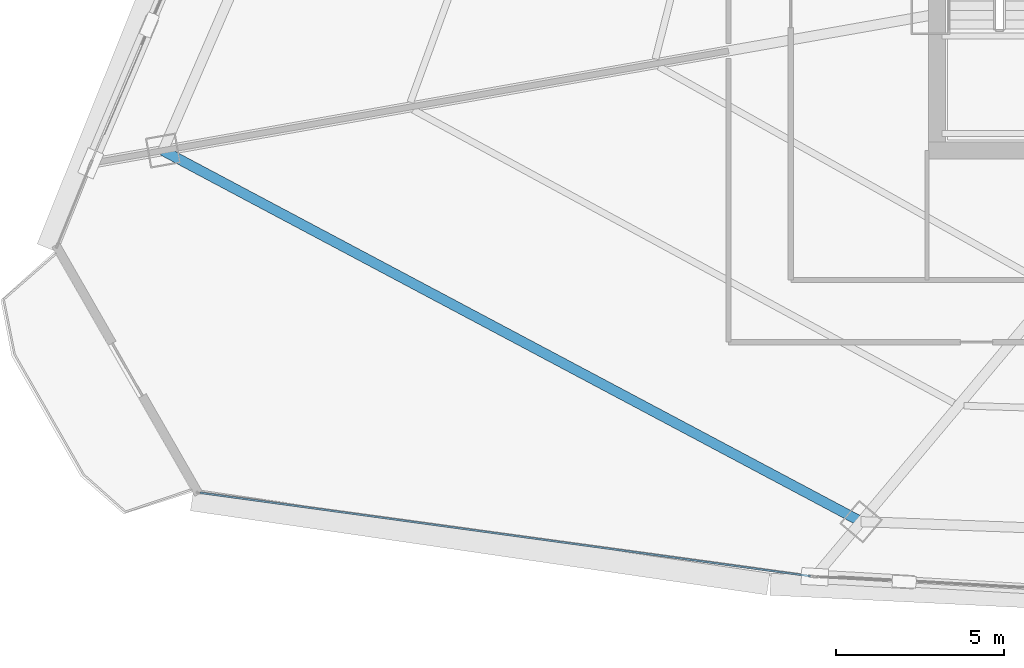
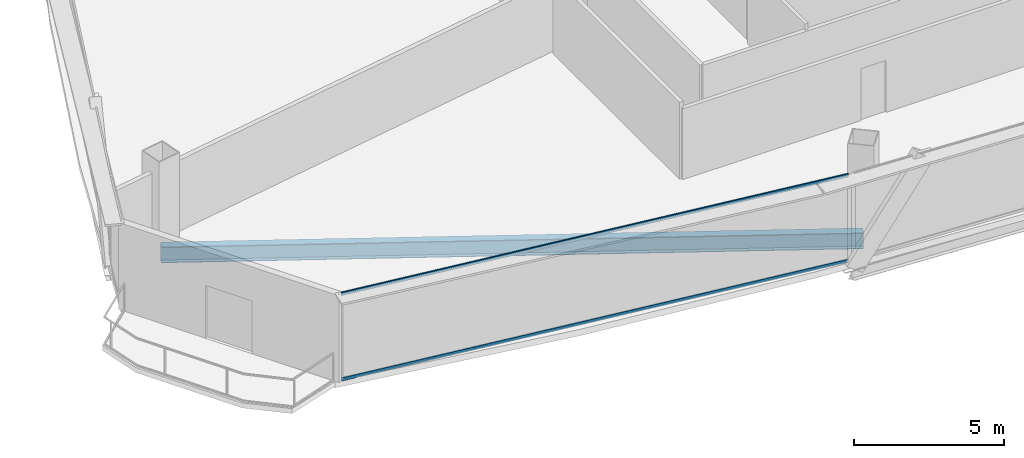
# One storey, part 3 of 37: 2 members, 1 beam, 1 element without a shape of its own.
"""IFC4 building model written with IfcOpenShell, lengths in metres."""

from ifc_helpers import new_model, si_unit, direction, frame, origin, origin_2d, place, context, subcontext, project, spatial, hollow_rectangle, i_section, extrude, source, transform, mapped, material, layer, layer_set, material_profile, profile_set, type_object, element, aggregate, save


model = new_model("IFC4")

# Units and contexts
model_context = context("Model", 3, precision=1e-05, world=origin(), true_north=direction((0.0, 1.0)))
body_context = subcontext(model_context, "Body", "Model", "MODEL_VIEW")
ifc_project = project(units=[si_unit("LENGTHUNIT", "METRE"), si_unit("AREAUNIT", "SQUARE_METRE"), si_unit("VOLUMEUNIT", "CUBIC_METRE"), si_unit("PLANEANGLEUNIT", "RADIAN"), si_unit("MASSUNIT", "GRAM", prefix="KILO"), si_unit("THERMODYNAMICTEMPERATUREUNIT", "KELVIN"), si_unit("POWERUNIT", "WATT")], contexts=[model_context])

# Site, building, storey
site_placement = place(None, origin())
site = spatial("IfcSite", under=ifc_project, at=site_placement, CompositionType="ELEMENT")
building_placement = place(site_placement, origin())
building = spatial("IfcBuilding", under=site, at=building_placement, Name="Yunzhuo Pagoda Commons", CompositionType="ELEMENT")
storey_placement = place(building_placement, frame((0.0, 0.0, 192.360107421875)))
storey = spatial("IfcBuildingStorey", under=building, at=storey_placement, Name="L48", CompositionType="ELEMENT", Elevation=192.360107421875)

# Beam
ifc_material_1 = material(Name="Structural steel Q355B", Category="steel")
ifc_material_profile_1 = material_profile(ifc_material_1, i_section(OverallWidth=0.300048828125, OverallDepth=0.64990234375, WebThickness=0.012939453125, FlangeThickness=0.02197265625, at=origin_2d()), Name="Structural steel Q355B")
ifc_profile_set_1 = profile_set([ifc_material_profile_1], Name="Structural steel Q355B")
beam_type = type_object("IfcBeamType", Name="B-RG2 Beam HN 650x300x13x22", PredefinedType="BEAM", material=ifc_profile_set_1)
shared_shape_1 = source(origin(), body_context, "Body", "SweptSolid", [
    extrude(i_section(OverallWidth=0.300048828125, OverallDepth=0.64990234375, WebThickness=0.012939453125, FlangeThickness=0.02197265625, at=origin_2d()), origin(), (0.0, 0.0, 1.0), 23.49365234375),
])
beam_placement = place(storey_placement, frame((12.79345703125, 27.492431640625, -0.585205078125), z_axis=(0.883016269865, -0.469342377325, 0.0), x_axis=(0.469342377325, 0.883016269865, 0.0)))
element("IfcBeam", 1, at=beam_placement, inside=storey, type_object=beam_type, Name="L48 column-ring beam 12", PredefinedType="BEAM", context=body_context, shape_type="MappedRepresentation", body=[
    mapped(shared_shape_1, transform((0.0, 0.0, 0.0), scale=1.0)),
])

# Curtain wall, members
ifc_material_2 = material(Name="Anodized aluminium 6063-T6", Category="aluminium")
ifc_layer = layer(ifc_material_2, 0.14990234375)
ifc_layer_set = layer_set([ifc_layer], Name="Anodized aluminium 6063-T6")
curtain_wall_type = type_object("IfcCurtainWallType", Name="CW-MID Mid-Zone Ribbon Curtain Wall", PredefinedType="NOTDEFINED", material=ifc_layer_set)
curtain_wall_placement = place(storey_placement, origin())
curtain_wall = element("IfcCurtainWall", 2, at=curtain_wall_placement, inside=storey, type_object=curtain_wall_type, Name="L48 curtain wall CW-L48-F1B1", PredefinedType="NOTDEFINED")
ifc_material_profile_2 = material_profile(ifc_material_2, hollow_rectangle(XDim=0.054931640625, YDim=0.1298828125, WallThickness=0.00341796875, at=origin_2d()), Name="Anodized aluminium 6063-T6")
ifc_profile_set_2 = profile_set([ifc_material_profile_2], Name="Anodized aluminium 6063-T6")
member_type = type_object("IfcMemberType", Name="CW-MID-T Transom RHS 130x55x3.5", PredefinedType="USERDEFINED", material=ifc_profile_set_2)
shared_shape_2 = source(origin(), body_context, "Body", "SweptSolid", [
    extrude(hollow_rectangle(XDim=0.054931640625, YDim=0.1298828125, WallThickness=0.00341796875, at=origin_2d()), origin(), (0.0, 0.0, 1.0), 18.307861328125),
])
member_1_placement = place(storey_placement, frame((13.89208984375, 17.324462890625, 0.02734375), z_axis=(0.990802800825, -0.13531374608, 0.0), x_axis=(0.13531374608, 0.990802800825, 0.0)))
member_1 = element("IfcMember", 3, at=member_1_placement, type_object=member_type, Name="CW transom 1.1", ObjectType="TRANSOM", PredefinedType="USERDEFINED", context=body_context, shape_type="MappedRepresentation", body=[
    mapped(shared_shape_2, transform((0.0, 0.0, 0.0), scale=1.0)),
])
member_2_placement = place(storey_placement, frame((13.89208984375, 17.324462890625, 3.512451171875), z_axis=(0.990802800825, -0.13531374608, 0.0), x_axis=(0.13531374608, 0.990802800825, 0.0)))
member_2 = element("IfcMember", 4, at=member_2_placement, type_object=member_type, Name="CW transom 1.2", ObjectType="TRANSOM", PredefinedType="USERDEFINED", context=body_context, shape_type="MappedRepresentation", body=[
    mapped(shared_shape_2, transform((0.0, 0.0, 0.0), scale=1.0)),
])
aggregate(curtain_wall, [member_1, member_2])

save(model, "model.ifc")
